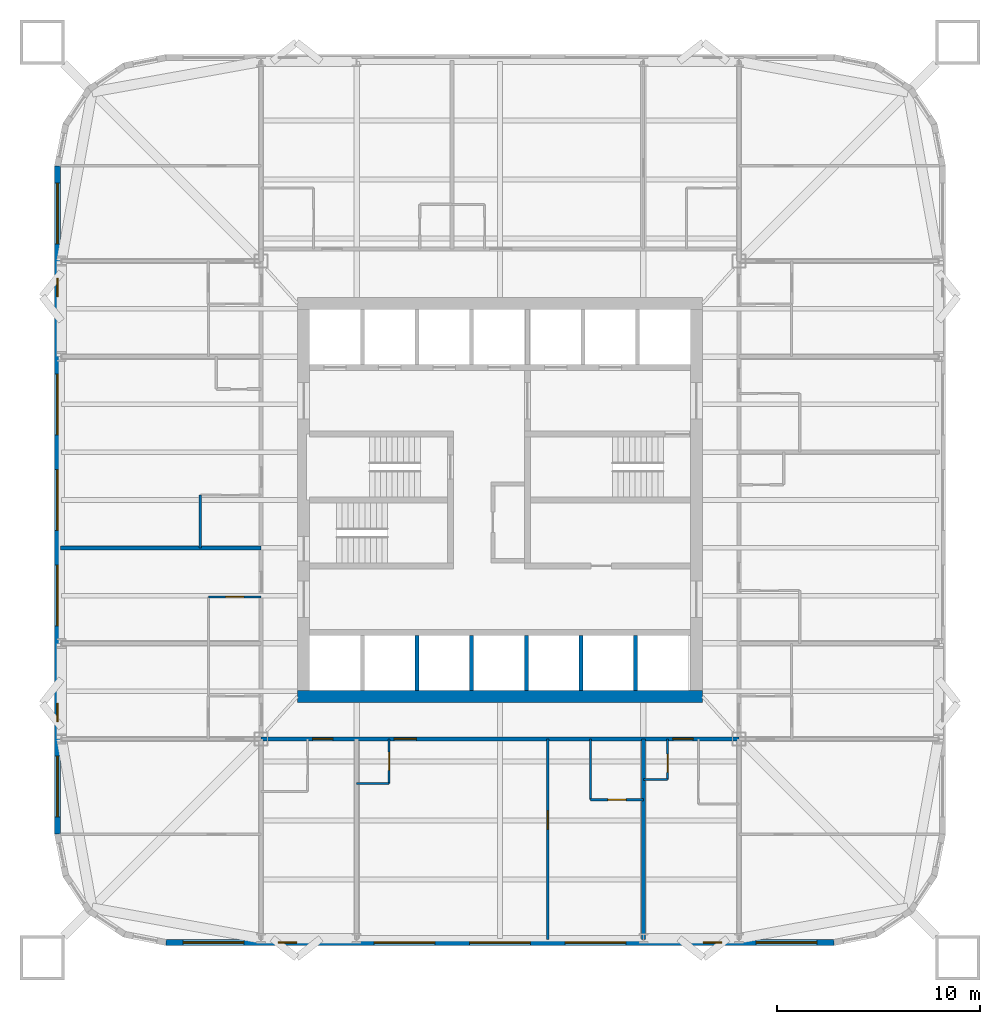
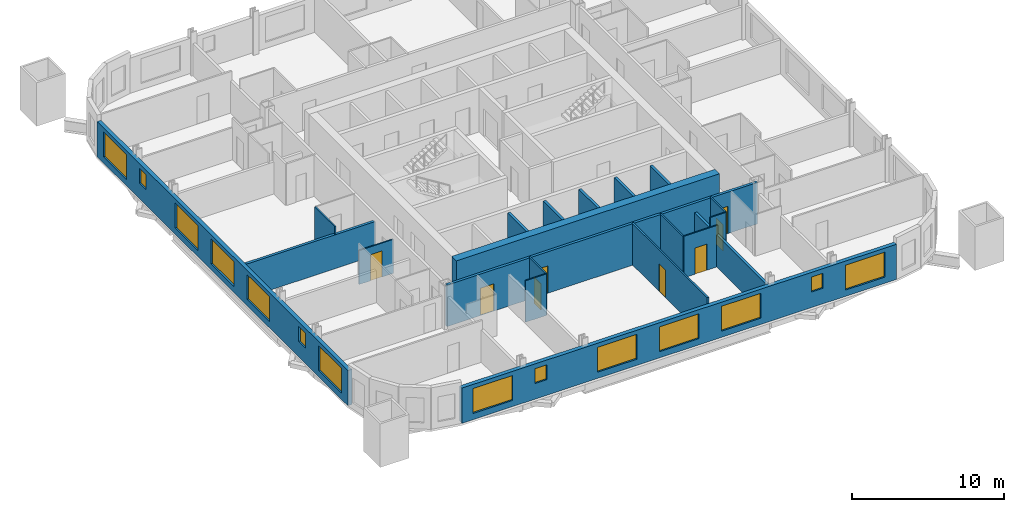
# One storey, part 3 of 9: 20 walls, 14 windows, 8 doors, 22 openings.
"""IFC4 building model written with IfcOpenShell, lengths in metres."""

from ifc_helpers import new_model, si_unit, direction, frame, frame_2d, origin, place, context, subcontext, project, spatial, rectangle, extrude, material, layer, layer_set, type_object, element, fill, save


model = new_model("IFC4")

# Units and contexts
model_context = context("Model", 3, precision=1e-05, world=origin(), true_north=direction((0.0, 1.0)))
body_context = subcontext(model_context, "Body", "Model", "MODEL_VIEW")
ifc_project = project(units=[si_unit("LENGTHUNIT", "METRE"), si_unit("AREAUNIT", "SQUARE_METRE"), si_unit("VOLUMEUNIT", "CUBIC_METRE"), si_unit("PLANEANGLEUNIT", "RADIAN"), si_unit("MASSUNIT", "GRAM", prefix="KILO")], contexts=[model_context])

# Site, building, storey
site_placement = place(None, origin())
site = spatial("IfcSite", under=ifc_project, at=site_placement, CompositionType="ELEMENT")
building_placement = place(site_placement, origin())
building = spatial("IfcBuilding", under=site, at=building_placement, Name="Turquesa Mirador Hotel Tower", CompositionType="ELEMENT")
storey_placement = place(building_placement, frame((0.0, 0.0, 42.5)))
storey = spatial("IfcBuildingStorey", under=building, at=storey_placement, Name="L10", CompositionType="ELEMENT", Elevation=42.5)

# Walls
ifc_material_1 = material(Name="Gypsum board on steel studs", Category="steel")
ifc_layer_1 = layer(ifc_material_1, 0.10009765625)
ifc_layer_set_1 = layer_set([ifc_layer_1], Name="BATHROOM WALL 100")
wall_type_1 = type_object("IfcWallType", Name="BATHROOM WALL 100", PredefinedType="PARTITIONING", material=ifc_layer_set_1)
wall_1_placement = place(storey_placement, frame((62.080078125, 31.199951171875, 0.0), z_axis=(0.0, 0.0, 1.0), x_axis=(1.0, 0.0, 0.0)))
element("IfcWall", 1, at=wall_1_placement, inside=storey, type_object=wall_type_1, Name="Partition L10 004", PredefinedType="PARTITIONING", context=body_context, shape_type="SweptSolid", body=[
    extrude(rectangle(XDim=1.199951171875, YDim=0.10009765625, at=frame_2d((0.60009765625, 0.0))), origin(), (0.0, 0.0, 1.0), 3.330078125),
])
wall_2_placement = place(storey_placement, frame((47.919921875, 31.0, 0.0), z_axis=(0.0, 0.0, 1.0), x_axis=(1.0, 0.0, 0.0)))
element("IfcWall", 2, at=wall_2_placement, inside=storey, type_object=wall_type_1, Name="Partition L10 005", PredefinedType="PARTITIONING", context=body_context, shape_type="SweptSolid", body=[
    extrude(rectangle(XDim=1.60009765625, YDim=0.10009765625, at=frame_2d((0.800048828125, 0.0))), origin(), (0.0, 0.0, 1.0), 3.330078125),
])

# Wall, opening, door
wall_3_placement = place(storey_placement, frame((59.47998046875, 30.199951171875, 0.0), z_axis=(0.0, 0.0, 1.0), x_axis=(1.0, 0.0, 0.0)))
wall_3 = element("IfcWall", 3, at=wall_3_placement, inside=storey, type_object=wall_type_1, Name="Partition L10 007", PredefinedType="PARTITIONING", context=body_context, shape_type="SweptSolid", body=[
    extrude(rectangle(XDim=2.60009765625, YDim=0.10009765625, at=frame_2d((1.300048828125, 0.0))), origin(), (0.0, 0.0, 1.0), 3.330078125),
])
opening_1_placement = place(wall_3_placement, frame((0.85009765625, 0.0, 0.0)))
opening_1 = element("IfcOpeningElement", 4, at=opening_1_placement, cuts=wall_3, Name="Opening D02", PredefinedType="OPENING", context=body_context, shape_type="SweptSolid", body=[
    extrude(rectangle(XDim=0.89990234375, YDim=2.10009765625, at=frame_2d((0.449951171875, 1.050048828125))), frame((0.0, 0.06005859375, 0.0), z_axis=(0.0, -1.0, 0.0), x_axis=(1.0, 0.0, 0.0)), (0.0, 0.0, 1.0), 0.1201171875),
])
ifc_material_2 = material(Name="Timber veneered door", Category="wood")
door_type_1 = type_object("IfcDoorType", Name="DOOR 900X2100 EN-SUITE", OperationType="SINGLE_SWING_RIGHT", PredefinedType="DOOR", material=ifc_material_2)
door_1_placement = place(opening_1_placement, origin())
door_1 = element("IfcDoor", 5, at=door_1_placement, inside=storey, type_object=door_type_1, Name="Door 1004B", OperationType="SINGLE_SWING_RIGHT", OverallHeight=2.10009765625, OverallWidth=0.89990234375, PredefinedType="DOOR", context=body_context, shape_type="SweptSolid", body=[
    extrude(rectangle(XDim=0.89990234375, YDim=2.10009765625, at=frame_2d((0.449951171875, 1.050048828125))), frame((0.0, 0.02490234375, 0.0), z_axis=(0.0, -1.0, 0.0), x_axis=(1.0, 0.0, 0.0)), (0.0, 0.0, 1.0), 0.050048828125),
])
fill(opening_1, door_1)

wall_4_placement = place(storey_placement, frame((40.60009765625, 40.219970703125, 0.0), z_axis=(0.0, 0.0, 1.0), x_axis=(1.0, 0.0, 0.0)))
wall_4 = element("IfcWall", 6, at=wall_4_placement, inside=storey, type_object=wall_type_1, Name="Partition L10 013", PredefinedType="PARTITIONING", context=body_context, shape_type="SweptSolid", body=[
    extrude(rectangle(XDim=2.599853515625, YDim=0.10009765625, at=frame_2d((1.2998046875, 0.0))), origin(), (0.0, 0.0, 1.0), 2.722900390625),
])
opening_2_placement = place(wall_4_placement, frame((0.85009765625, 0.0, 0.0)))
opening_2 = element("IfcOpeningElement", 7, at=opening_2_placement, cuts=wall_4, Name="Opening D02", PredefinedType="OPENING", context=body_context, shape_type="SweptSolid", body=[
    extrude(rectangle(XDim=0.89990234375, YDim=2.10009765625, at=frame_2d((0.449951171875, 1.050048828125))), frame((0.0, 0.06005859375, 0.0), z_axis=(0.0, -1.0, 0.0), x_axis=(1.0, 0.0, 0.0)), (0.0, 0.0, 1.0), 0.1201171875),
])
door_2_placement = place(opening_2_placement, origin())
door_2 = element("IfcDoor", 8, at=door_2_placement, inside=storey, type_object=door_type_1, Name="Door 1008B", OperationType="SINGLE_SWING_RIGHT", OverallHeight=2.10009765625, OverallWidth=0.89990234375, PredefinedType="DOOR", context=body_context, shape_type="SweptSolid", body=[
    extrude(rectangle(XDim=0.89990234375, YDim=2.10009765625, at=frame_2d((0.449951171875, 1.050048828125))), frame((0.0, 0.02490234375, 0.0), z_axis=(0.0, -1.0, 0.0), x_axis=(1.0, 0.0, 0.0)), (0.0, 0.0, 1.0), 0.050048828125),
])
fill(opening_2, door_2)

# Wall
wall_5_placement = place(storey_placement, frame((40.199951171875, 42.639892578125, 0.0), z_axis=(0.0, 0.0, 1.0), x_axis=(0.0, 1.0, 0.0)))
element("IfcWall", 9, at=wall_5_placement, inside=storey, type_object=wall_type_1, Name="Partition L10 045", PredefinedType="PARTITIONING", context=body_context, shape_type="SweptSolid", body=[
    extrude(rectangle(XDim=2.60009765625, YDim=0.10009765625, at=frame_2d((1.300048828125, 0.0))), origin(), (0.0, 0.0, 1.0), 3.330078125),
])

# Wall, opening, door
wall_6_placement = place(storey_placement, frame((49.52001953125, 31.0, 0.0), z_axis=(0.0, 0.0, 1.0), x_axis=(0.0, 1.0, 0.0)))
wall_6 = element("IfcWall", 10, at=wall_6_placement, inside=storey, type_object=wall_type_1, Name="Partition L10 048", PredefinedType="PARTITIONING", context=body_context, shape_type="SweptSolid", body=[
    extrude(rectangle(XDim=2.199951171875, YDim=0.10009765625, at=frame_2d((1.10009765625, 0.0))), origin(), (0.0, 0.0, 1.0), 3.330078125),
])
opening_3_placement = place(wall_6_placement, frame((0.64990234375, 0.0, 0.0)))
opening_3 = element("IfcOpeningElement", 11, at=opening_3_placement, cuts=wall_6, Name="Opening D06", PredefinedType="OPENING", context=body_context, shape_type="SweptSolid", body=[
    extrude(rectangle(XDim=0.89990234375, YDim=2.10009765625, at=frame_2d((0.449951171875, 1.050048828125))), frame((0.0, 0.06005859375, 0.0), z_axis=(0.0, -1.0, 0.0), x_axis=(1.0, 0.0, 0.0)), (0.0, 0.0, 1.0), 0.1201171875),
])
ifc_material_3 = material(Name="Laminate door", Category="wood")
door_type_2 = type_object("IfcDoorType", Name="DOOR 900X2100 WC", OperationType="SINGLE_SWING_LEFT", PredefinedType="DOOR", material=ifc_material_3)
door_3_placement = place(opening_3_placement, origin())
door_3 = element("IfcDoor", 12, at=door_3_placement, inside=storey, type_object=door_type_2, Name="Door 1004W", OperationType="SINGLE_SWING_LEFT", OverallHeight=2.10009765625, OverallWidth=0.89990234375, PredefinedType="DOOR", context=body_context, shape_type="SweptSolid", body=[
    extrude(rectangle(XDim=0.89990234375, YDim=2.10009765625, at=frame_2d((0.449951171875, 1.050048828125))), frame((0.0, 0.02490234375, 0.0), z_axis=(0.0, -1.0, 0.0), x_axis=(1.0, 0.0, 0.0)), (0.0, 0.0, 1.0), 0.050048828125),
])
fill(opening_3, door_3)

# Wall
wall_7_placement = place(storey_placement, frame((59.47998046875, 30.199951171875, 0.0), z_axis=(0.0, 0.0, 1.0), x_axis=(0.0, 1.0, 0.0)))
element("IfcWall", 13, at=wall_7_placement, inside=storey, type_object=wall_type_1, Name="Partition L10 063", PredefinedType="PARTITIONING", context=body_context, shape_type="SweptSolid", body=[
    extrude(rectangle(XDim=3.0, YDim=0.10009765625, at=frame_2d((1.5, 0.0))), origin(), (0.0, 0.0, 1.0), 3.330078125),
])

# Wall, opening, door
wall_8_placement = place(storey_placement, frame((63.280029296875, 31.199951171875, 0.0), z_axis=(0.0, 0.0, 1.0), x_axis=(0.0, 1.0, 0.0)))
wall_8 = element("IfcWall", 14, at=wall_8_placement, inside=storey, type_object=wall_type_1, Name="Partition L10 066", PredefinedType="PARTITIONING", context=body_context, shape_type="SweptSolid", body=[
    extrude(rectangle(XDim=2.0, YDim=0.10009765625, at=frame_2d((1.0, 0.0))), origin(), (0.0, 0.0, 1.0), 3.330078125),
])
opening_4_placement = place(wall_8_placement, frame((0.35009765625, 0.0, 0.0)))
opening_4 = element("IfcOpeningElement", 15, at=opening_4_placement, cuts=wall_8, Name="Opening D06", PredefinedType="OPENING", context=body_context, shape_type="SweptSolid", body=[
    extrude(rectangle(XDim=0.89990234375, YDim=2.10009765625, at=frame_2d((0.449951171875, 1.050048828125))), frame((0.0, 0.06005859375, 0.0), z_axis=(0.0, -1.0, 0.0), x_axis=(1.0, 0.0, 0.0)), (0.0, 0.0, 1.0), 0.1201171875),
])
door_4_placement = place(opening_4_placement, origin())
door_4 = element("IfcDoor", 16, at=door_4_placement, inside=storey, type_object=door_type_2, Name="Door 1005W", OperationType="SINGLE_SWING_LEFT", OverallHeight=2.10009765625, OverallWidth=0.89990234375, PredefinedType="DOOR", context=body_context, shape_type="SweptSolid", body=[
    extrude(rectangle(XDim=0.89990234375, YDim=2.10009765625, at=frame_2d((0.449951171875, 1.050048828125))), frame((0.0, 0.02490234375, 0.0), z_axis=(0.0, -1.0, 0.0), x_axis=(1.0, 0.0, 0.0)), (0.0, 0.0, 1.0), 0.050048828125),
])
fill(opening_4, door_4)

# Wall
ifc_material_4 = material(Name="Concrete C50/60", Category="concrete")
ifc_layer_2 = layer(ifc_material_4, 0.60009765625)
ifc_layer_set_2 = layer_set([ifc_layer_2], Name="CORE WALL 600")
wall_type_2 = type_object("IfcWallType", Name="CORE WALL 600", PredefinedType="SHEAR", material=ifc_layer_set_2)
wall_9_placement = place(storey_placement, frame((45.0, 35.300048828125, 0.0), z_axis=(0.0, 0.0, 1.0), x_axis=(1.0, 0.0, 0.0)))
element("IfcWall", 17, at=wall_9_placement, inside=storey, type_object=wall_type_2, Name="Core wall S", PredefinedType="SHEAR", context=body_context, shape_type="SweptSolid", body=[
    extrude(rectangle(XDim=20.0, YDim=0.60009765625, at=frame_2d((10.0, 0.0))), origin(), (0.0, 0.0, 1.0), 3.5),
])

# Wall, openings, doors
ifc_material_5 = material(Name="Fire-rated gypsum board on steel studs", Category="steel")
ifc_layer_3 = layer(ifc_material_5, 0.199951171875)
ifc_layer_set_3 = layer_set([ifc_layer_3], Name="CORRIDOR WALL 200")
wall_type_3 = type_object("IfcWallType", Name="CORRIDOR WALL 200", PredefinedType="PARTITIONING", material=ifc_layer_set_3)
wall_10_placement = place(storey_placement, frame((43.199951171875, 33.199951171875, 0.0), z_axis=(0.0, 0.0, 1.0), x_axis=(1.0, 0.0, 0.0)))
wall_10 = element("IfcWall", 18, at=wall_10_placement, inside=storey, type_object=wall_type_3, Name="Partition L10 001", PredefinedType="PARTITIONING", context=body_context, shape_type="SweptSolid", body=[
    extrude(rectangle(XDim=23.60009765625, YDim=0.199951171875, at=frame_2d((11.800048828125, 0.0))), origin(), (0.0, 0.0, 1.0), 3.330078125),
])
opening_5_placement = place(wall_10_placement, frame((2.550048828125, 0.0, 0.0)))
opening_5 = element("IfcOpeningElement", 19, at=opening_5_placement, cuts=wall_10, Name="Opening D01", PredefinedType="OPENING", context=body_context, shape_type="SweptSolid", body=[
    extrude(rectangle(XDim=1.0, YDim=2.199951171875, at=frame_2d((0.5, 1.10009765625))), frame((0.0, 0.10986328125, 0.0), z_axis=(0.0, -1.0, 0.0), x_axis=(1.0, 0.0, 0.0)), (0.0, 0.0, 1.0), 0.219970703125),
])
opening_6_placement = place(wall_10_placement, frame((6.570068359375, 0.0, 0.0)))
opening_6 = element("IfcOpeningElement", 20, at=opening_6_placement, cuts=wall_10, Name="Opening D15", PredefinedType="OPENING", context=body_context, shape_type="SweptSolid", body=[
    extrude(rectangle(XDim=1.10009765625, YDim=2.199951171875, at=frame_2d((0.550048828125, 1.10009765625))), frame((0.0, 0.10986328125, 0.0), z_axis=(0.0, -1.0, 0.0), x_axis=(1.0, 0.0, 0.0)), (0.0, 0.0, 1.0), 0.219970703125),
])
opening_7_placement = place(wall_10_placement, frame((20.340087890625, 0.0, 0.0)))
opening_7 = element("IfcOpeningElement", 21, at=opening_7_placement, cuts=wall_10, Name="Opening D01", PredefinedType="OPENING", context=body_context, shape_type="SweptSolid", body=[
    extrude(rectangle(XDim=1.0, YDim=2.199951171875, at=frame_2d((0.5, 1.10009765625))), frame((0.0, 0.10986328125, 0.0), z_axis=(0.0, -1.0, 0.0), x_axis=(1.0, 0.0, 0.0)), (0.0, 0.0, 1.0), 0.219970703125),
])
ifc_material_6 = material(Name="Timber veneered fire door", Category="wood")
door_type_3 = type_object("IfcDoorType", Name="DOOR 1000X2200 GUEST ENTRY", OperationType="SINGLE_SWING_LEFT", PredefinedType="DOOR", material=ifc_material_6)
door_5_placement = place(opening_5_placement, origin())
door_5 = element("IfcDoor", 22, at=door_5_placement, inside=storey, type_object=door_type_3, Name="Door 1003", OperationType="SINGLE_SWING_LEFT", OverallHeight=2.199951171875, OverallWidth=1.0, PredefinedType="DOOR", context=body_context, shape_type="SweptSolid", body=[
    extrude(rectangle(XDim=1.0, YDim=2.199951171875, at=frame_2d((0.5, 1.10009765625))), frame((0.0, 0.02490234375, 0.0), z_axis=(0.0, -1.0, 0.0), x_axis=(1.0, 0.0, 0.0)), (0.0, 0.0, 1.0), 0.050048828125),
])
fill(opening_5, door_5)
door_6_placement = place(opening_7_placement, origin())
door_6 = element("IfcDoor", 23, at=door_6_placement, inside=storey, type_object=door_type_3, Name="Door 1005", OperationType="SINGLE_SWING_LEFT", OverallHeight=2.199951171875, OverallWidth=1.0, PredefinedType="DOOR", context=body_context, shape_type="SweptSolid", body=[
    extrude(rectangle(XDim=1.0, YDim=2.199951171875, at=frame_2d((0.5, 1.10009765625))), frame((0.0, 0.02490234375, 0.0), z_axis=(0.0, -1.0, 0.0), x_axis=(1.0, 0.0, 0.0)), (0.0, 0.0, 1.0), 0.050048828125),
])
fill(opening_7, door_6)
ifc_material_7 = material(Name="Timber veneered fire door", Category="wood")
door_type_4 = type_object("IfcDoorType", Name="DOOR 1100X2200 SUITE ENTRY", OperationType="SINGLE_SWING_LEFT", PredefinedType="DOOR", material=ifc_material_7)
door_7_placement = place(opening_6_placement, origin())
door_7 = element("IfcDoor", 24, at=door_7_placement, inside=storey, type_object=door_type_4, Name="Door 1004", OperationType="SINGLE_SWING_LEFT", OverallHeight=2.199951171875, OverallWidth=1.10009765625, PredefinedType="DOOR", context=body_context, shape_type="SweptSolid", body=[
    extrude(rectangle(XDim=1.10009765625, YDim=2.199951171875, at=frame_2d((0.550048828125, 1.10009765625))), frame((0.0, 0.02490234375, 0.0), z_axis=(0.0, -1.0, 0.0), x_axis=(1.0, 0.0, 0.0)), (0.0, 0.0, 1.0), 0.050048828125),
])
fill(opening_6, door_7)

# Wall, openings, windows
ifc_material_8 = material(Name="Limestone cladding on concrete block", Category="masonry")
ifc_layer_4 = layer(ifc_material_8, 0.300048828125)
ifc_layer_set_4 = layer_set([ifc_layer_4], Name="FACADE WALL 300 STONE SCREEN")
wall_type_4 = type_object("IfcWallType", Name="FACADE WALL 300 STONE SCREEN", PredefinedType="SOLIDWALL", material=ifc_layer_set_4)
wall_11_placement = place(storey_placement, frame((33.14990234375, 61.5, 0.0), z_axis=(0.0, 0.0, 1.0), x_axis=(0.0, -1.0, 0.0)))
wall_11 = element("IfcWall", 25, at=wall_11_placement, inside=storey, type_object=wall_type_4, Name="Facade wall L10 14", PredefinedType="SOLIDWALL", context=body_context, shape_type="SweptSolid", body=[
    extrude(rectangle(XDim=33.0, YDim=0.300048828125, at=frame_2d((16.5, 0.0))), origin(), (0.0, 0.0, 1.0), 2.830078125),
])
opening_8_placement = place(wall_11_placement, frame((0.85009765625, 0.0, 0.5)))
opening_8 = element("IfcOpeningElement", 26, at=opening_8_placement, cuts=wall_11, Name="Opening WN1", PredefinedType="OPENING", context=body_context, shape_type="SweptSolid", body=[
    extrude(rectangle(XDim=3.0, YDim=2.0, at=frame_2d((1.5, 1.0))), frame((0.0, 0.159912109375, 0.0), z_axis=(0.0, -1.0, 0.0), x_axis=(1.0, 0.0, 0.0)), (0.0, 0.0, 1.0), 0.320068359375),
])
opening_9_placement = place(wall_11_placement, frame((5.56005859375, 0.0, 1.25)))
opening_9 = element("IfcOpeningElement", 27, at=opening_9_placement, cuts=wall_11, Name="Opening WN36", PredefinedType="OPENING", context=body_context, shape_type="SweptSolid", body=[
    extrude(rectangle(XDim=0.89990234375, YDim=1.199951171875, at=frame_2d((0.449951171875, 0.60009765625))), frame((0.0, 0.159912109375, 0.0), z_axis=(0.0, -1.0, 0.0), x_axis=(1.0, 0.0, 0.0)), (0.0, 0.0, 1.0), 0.320068359375),
])
opening_10_placement = place(wall_11_placement, frame((10.280029296875, 0.0, 0.5)))
opening_10 = element("IfcOpeningElement", 28, at=opening_10_placement, cuts=wall_11, Name="Opening WN1", PredefinedType="OPENING", context=body_context, shape_type="SweptSolid", body=[
    extrude(rectangle(XDim=3.0, YDim=2.0, at=frame_2d((1.5, 1.0))), frame((0.0, 0.159912109375, 0.0), z_axis=(0.0, -1.0, 0.0), x_axis=(1.0, 0.0, 0.0)), (0.0, 0.0, 1.0), 0.320068359375),
])
opening_11_placement = place(wall_11_placement, frame((15.0, 0.0, 0.5)))
opening_11 = element("IfcOpeningElement", 29, at=opening_11_placement, cuts=wall_11, Name="Opening WN1", PredefinedType="OPENING", context=body_context, shape_type="SweptSolid", body=[
    extrude(rectangle(XDim=3.0, YDim=2.0, at=frame_2d((1.5, 1.0))), frame((0.0, 0.159912109375, 0.0), z_axis=(0.0, -1.0, 0.0), x_axis=(1.0, 0.0, 0.0)), (0.0, 0.0, 1.0), 0.320068359375),
])
opening_12_placement = place(wall_11_placement, frame((19.719970703125, 0.0, 0.5)))
opening_12 = element("IfcOpeningElement", 30, at=opening_12_placement, cuts=wall_11, Name="Opening WN1", PredefinedType="OPENING", context=body_context, shape_type="SweptSolid", body=[
    extrude(rectangle(XDim=3.0, YDim=2.0, at=frame_2d((1.5, 1.0))), frame((0.0, 0.159912109375, 0.0), z_axis=(0.0, -1.0, 0.0), x_axis=(1.0, 0.0, 0.0)), (0.0, 0.0, 1.0), 0.320068359375),
])
opening_13_placement = place(wall_11_placement, frame((26.5400390625, 0.0, 1.25)))
opening_13 = element("IfcOpeningElement", 31, at=opening_13_placement, cuts=wall_11, Name="Opening WN36", PredefinedType="OPENING", context=body_context, shape_type="SweptSolid", body=[
    extrude(rectangle(XDim=0.89990234375, YDim=1.199951171875, at=frame_2d((0.449951171875, 0.60009765625))), frame((0.0, 0.159912109375, 0.0), z_axis=(0.0, -1.0, 0.0), x_axis=(1.0, 0.0, 0.0)), (0.0, 0.0, 1.0), 0.320068359375),
])
opening_14_placement = place(wall_11_placement, frame((29.14990234375, 0.0, 0.5)))
opening_14 = element("IfcOpeningElement", 32, at=opening_14_placement, cuts=wall_11, Name="Opening WN1", PredefinedType="OPENING", context=body_context, shape_type="SweptSolid", body=[
    extrude(rectangle(XDim=3.0, YDim=2.0, at=frame_2d((1.5, 1.0))), frame((0.0, 0.159912109375, 0.0), z_axis=(0.0, -1.0, 0.0), x_axis=(1.0, 0.0, 0.0)), (0.0, 0.0, 1.0), 0.320068359375),
])
ifc_material_9 = material(Name="Ceramic-fritted laminated glass", Category="glass")
window_type_1 = type_object("IfcWindowType", Name="FRITTED WINDOW 3000X2000", PartitioningType="DOUBLE_PANEL_HORIZONTAL", PredefinedType="WINDOW", material=ifc_material_9)
window_1_placement = place(opening_8_placement, origin())
window_1 = element("IfcWindow", 33, at=window_1_placement, inside=storey, type_object=window_type_1, Name="Window L10", OverallHeight=2.0, OverallWidth=3.0, PartitioningType="SINGLE_PANEL", PredefinedType="WINDOW", context=body_context, shape_type="SweptSolid", body=[
    extrude(rectangle(XDim=3.0, YDim=2.0, at=frame_2d((1.5, 1.0))), frame((0.0, 0.030029296875, 0.0), z_axis=(0.0, -1.0, 0.0), x_axis=(1.0, 0.0, 0.0)), (0.0, 0.0, 1.0), 0.06005859375),
])
fill(opening_8, window_1)
window_2_placement = place(opening_10_placement, origin())
window_2 = element("IfcWindow", 34, at=window_2_placement, inside=storey, type_object=window_type_1, Name="Window L10", OverallHeight=2.0, OverallWidth=3.0, PartitioningType="SINGLE_PANEL", PredefinedType="WINDOW", context=body_context, shape_type="SweptSolid", body=[
    extrude(rectangle(XDim=3.0, YDim=2.0, at=frame_2d((1.5, 1.0))), frame((0.0, 0.030029296875, 0.0), z_axis=(0.0, -1.0, 0.0), x_axis=(1.0, 0.0, 0.0)), (0.0, 0.0, 1.0), 0.06005859375),
])
fill(opening_10, window_2)
window_3_placement = place(opening_11_placement, origin())
window_3 = element("IfcWindow", 35, at=window_3_placement, inside=storey, type_object=window_type_1, Name="Window L10", OverallHeight=2.0, OverallWidth=3.0, PartitioningType="SINGLE_PANEL", PredefinedType="WINDOW", context=body_context, shape_type="SweptSolid", body=[
    extrude(rectangle(XDim=3.0, YDim=2.0, at=frame_2d((1.5, 1.0))), frame((0.0, 0.030029296875, 0.0), z_axis=(0.0, -1.0, 0.0), x_axis=(1.0, 0.0, 0.0)), (0.0, 0.0, 1.0), 0.06005859375),
])
fill(opening_11, window_3)
window_4_placement = place(opening_12_placement, origin())
window_4 = element("IfcWindow", 36, at=window_4_placement, inside=storey, type_object=window_type_1, Name="Window L10", OverallHeight=2.0, OverallWidth=3.0, PartitioningType="SINGLE_PANEL", PredefinedType="WINDOW", context=body_context, shape_type="SweptSolid", body=[
    extrude(rectangle(XDim=3.0, YDim=2.0, at=frame_2d((1.5, 1.0))), frame((0.0, 0.030029296875, 0.0), z_axis=(0.0, -1.0, 0.0), x_axis=(1.0, 0.0, 0.0)), (0.0, 0.0, 1.0), 0.06005859375),
])
fill(opening_12, window_4)
window_5_placement = place(opening_14_placement, origin())
window_5 = element("IfcWindow", 37, at=window_5_placement, inside=storey, type_object=window_type_1, Name="Window L10", OverallHeight=2.0, OverallWidth=3.0, PartitioningType="SINGLE_PANEL", PredefinedType="WINDOW", context=body_context, shape_type="SweptSolid", body=[
    extrude(rectangle(XDim=3.0, YDim=2.0, at=frame_2d((1.5, 1.0))), frame((0.0, 0.030029296875, 0.0), z_axis=(0.0, -1.0, 0.0), x_axis=(1.0, 0.0, 0.0)), (0.0, 0.0, 1.0), 0.06005859375),
])
fill(opening_14, window_5)
ifc_material_10 = material(Name="Ceramic-fritted laminated glass", Category="glass")
window_type_2 = type_object("IfcWindowType", Name="FRITTED WINDOW 900X1200", PartitioningType="DOUBLE_PANEL_HORIZONTAL", PredefinedType="WINDOW", material=ifc_material_10)
window_6_placement = place(opening_9_placement, origin())
window_6 = element("IfcWindow", 38, at=window_6_placement, inside=storey, type_object=window_type_2, Name="Window L10", OverallHeight=1.199951171875, OverallWidth=0.89990234375, PartitioningType="SINGLE_PANEL", PredefinedType="WINDOW", context=body_context, shape_type="SweptSolid", body=[
    extrude(rectangle(XDim=0.89990234375, YDim=1.199951171875, at=frame_2d((0.449951171875, 0.60009765625))), frame((0.0, 0.030029296875, 0.0), z_axis=(0.0, -1.0, 0.0), x_axis=(1.0, 0.0, 0.0)), (0.0, 0.0, 1.0), 0.06005859375),
])
fill(opening_9, window_6)
window_7_placement = place(opening_13_placement, origin())
window_7 = element("IfcWindow", 39, at=window_7_placement, inside=storey, type_object=window_type_2, Name="Window L10", OverallHeight=1.199951171875, OverallWidth=0.89990234375, PartitioningType="SINGLE_PANEL", PredefinedType="WINDOW", context=body_context, shape_type="SweptSolid", body=[
    extrude(rectangle(XDim=0.89990234375, YDim=1.199951171875, at=frame_2d((0.449951171875, 0.60009765625))), frame((0.0, 0.030029296875, 0.0), z_axis=(0.0, -1.0, 0.0), x_axis=(1.0, 0.0, 0.0)), (0.0, 0.0, 1.0), 0.06005859375),
])
fill(opening_13, window_7)

wall_12_placement = place(storey_placement, frame((38.5, 23.14990234375, 0.0), z_axis=(0.0, 0.0, 1.0), x_axis=(1.0, 0.0, 0.0)))
wall_12 = element("IfcWall", 40, at=wall_12_placement, inside=storey, type_object=wall_type_4, Name="Facade wall L10 19", PredefinedType="SOLIDWALL", context=body_context, shape_type="SweptSolid", body=[
    extrude(rectangle(XDim=33.0, YDim=0.300048828125, at=frame_2d((16.5, 0.0))), origin(), (0.0, 0.0, 1.0), 2.830078125),
])
opening_15_placement = place(wall_12_placement, frame((0.85009765625, 0.0, 0.5)))
opening_15 = element("IfcOpeningElement", 41, at=opening_15_placement, cuts=wall_12, Name="Opening WN1", PredefinedType="OPENING", context=body_context, shape_type="SweptSolid", body=[
    extrude(rectangle(XDim=3.0, YDim=2.0, at=frame_2d((1.5, 1.0))), frame((0.0, 0.159912109375, 0.0), z_axis=(0.0, -1.0, 0.0), x_axis=(1.0, 0.0, 0.0)), (0.0, 0.0, 1.0), 0.320068359375),
])
opening_16_placement = place(wall_12_placement, frame((5.56005859375, 0.0, 1.25)))
opening_16 = element("IfcOpeningElement", 42, at=opening_16_placement, cuts=wall_12, Name="Opening WN36", PredefinedType="OPENING", context=body_context, shape_type="SweptSolid", body=[
    extrude(rectangle(XDim=0.89990234375, YDim=1.199951171875, at=frame_2d((0.449951171875, 0.60009765625))), frame((0.0, 0.159912109375, 0.0), z_axis=(0.0, -1.0, 0.0), x_axis=(1.0, 0.0, 0.0)), (0.0, 0.0, 1.0), 0.320068359375),
])
opening_17_placement = place(wall_12_placement, frame((10.280029296875, 0.0, 0.5)))
opening_17 = element("IfcOpeningElement", 43, at=opening_17_placement, cuts=wall_12, Name="Opening WN1", PredefinedType="OPENING", context=body_context, shape_type="SweptSolid", body=[
    extrude(rectangle(XDim=3.0, YDim=2.0, at=frame_2d((1.5, 1.0))), frame((0.0, 0.159912109375, 0.0), z_axis=(0.0, -1.0, 0.0), x_axis=(1.0, 0.0, 0.0)), (0.0, 0.0, 1.0), 0.320068359375),
])
opening_18_placement = place(wall_12_placement, frame((15.0, 0.0, 0.5)))
opening_18 = element("IfcOpeningElement", 44, at=opening_18_placement, cuts=wall_12, Name="Opening WN1", PredefinedType="OPENING", context=body_context, shape_type="SweptSolid", body=[
    extrude(rectangle(XDim=3.0, YDim=2.0, at=frame_2d((1.5, 1.0))), frame((0.0, 0.159912109375, 0.0), z_axis=(0.0, -1.0, 0.0), x_axis=(1.0, 0.0, 0.0)), (0.0, 0.0, 1.0), 0.320068359375),
])
opening_19_placement = place(wall_12_placement, frame((19.719970703125, 0.0, 0.5)))
opening_19 = element("IfcOpeningElement", 45, at=opening_19_placement, cuts=wall_12, Name="Opening WN1", PredefinedType="OPENING", context=body_context, shape_type="SweptSolid", body=[
    extrude(rectangle(XDim=3.0, YDim=2.0, at=frame_2d((1.5, 1.0))), frame((0.0, 0.159912109375, 0.0), z_axis=(0.0, -1.0, 0.0), x_axis=(1.0, 0.0, 0.0)), (0.0, 0.0, 1.0), 0.320068359375),
])
opening_20_placement = place(wall_12_placement, frame((26.5400390625, 0.0, 1.25)))
opening_20 = element("IfcOpeningElement", 46, at=opening_20_placement, cuts=wall_12, Name="Opening WN36", PredefinedType="OPENING", context=body_context, shape_type="SweptSolid", body=[
    extrude(rectangle(XDim=0.89990234375, YDim=1.199951171875, at=frame_2d((0.449951171875, 0.60009765625))), frame((0.0, 0.159912109375, 0.0), z_axis=(0.0, -1.0, 0.0), x_axis=(1.0, 0.0, 0.0)), (0.0, 0.0, 1.0), 0.320068359375),
])
opening_21_placement = place(wall_12_placement, frame((29.14990234375, 0.0, 0.5)))
opening_21 = element("IfcOpeningElement", 47, at=opening_21_placement, cuts=wall_12, Name="Opening WN1", PredefinedType="OPENING", context=body_context, shape_type="SweptSolid", body=[
    extrude(rectangle(XDim=3.0, YDim=2.0, at=frame_2d((1.5, 1.0))), frame((0.0, 0.159912109375, 0.0), z_axis=(0.0, -1.0, 0.0), x_axis=(1.0, 0.0, 0.0)), (0.0, 0.0, 1.0), 0.320068359375),
])
window_8_placement = place(opening_15_placement, origin())
window_8 = element("IfcWindow", 48, at=window_8_placement, inside=storey, type_object=window_type_1, Name="Window L10", OverallHeight=2.0, OverallWidth=3.0, PartitioningType="SINGLE_PANEL", PredefinedType="WINDOW", context=body_context, shape_type="SweptSolid", body=[
    extrude(rectangle(XDim=3.0, YDim=2.0, at=frame_2d((1.5, 1.0))), frame((0.0, 0.030029296875, 0.0), z_axis=(0.0, -1.0, 0.0), x_axis=(1.0, 0.0, 0.0)), (0.0, 0.0, 1.0), 0.06005859375),
])
fill(opening_15, window_8)
window_9_placement = place(opening_17_placement, origin())
window_9 = element("IfcWindow", 49, at=window_9_placement, inside=storey, type_object=window_type_1, Name="Window L10", OverallHeight=2.0, OverallWidth=3.0, PartitioningType="SINGLE_PANEL", PredefinedType="WINDOW", context=body_context, shape_type="SweptSolid", body=[
    extrude(rectangle(XDim=3.0, YDim=2.0, at=frame_2d((1.5, 1.0))), frame((0.0, 0.030029296875, 0.0), z_axis=(0.0, -1.0, 0.0), x_axis=(1.0, 0.0, 0.0)), (0.0, 0.0, 1.0), 0.06005859375),
])
fill(opening_17, window_9)
window_10_placement = place(opening_18_placement, origin())
window_10 = element("IfcWindow", 50, at=window_10_placement, inside=storey, type_object=window_type_1, Name="Window L10", OverallHeight=2.0, OverallWidth=3.0, PartitioningType="SINGLE_PANEL", PredefinedType="WINDOW", context=body_context, shape_type="SweptSolid", body=[
    extrude(rectangle(XDim=3.0, YDim=2.0, at=frame_2d((1.5, 1.0))), frame((0.0, 0.030029296875, 0.0), z_axis=(0.0, -1.0, 0.0), x_axis=(1.0, 0.0, 0.0)), (0.0, 0.0, 1.0), 0.06005859375),
])
fill(opening_18, window_10)
window_11_placement = place(opening_19_placement, origin())
window_11 = element("IfcWindow", 51, at=window_11_placement, inside=storey, type_object=window_type_1, Name="Window L10", OverallHeight=2.0, OverallWidth=3.0, PartitioningType="SINGLE_PANEL", PredefinedType="WINDOW", context=body_context, shape_type="SweptSolid", body=[
    extrude(rectangle(XDim=3.0, YDim=2.0, at=frame_2d((1.5, 1.0))), frame((0.0, 0.030029296875, 0.0), z_axis=(0.0, -1.0, 0.0), x_axis=(1.0, 0.0, 0.0)), (0.0, 0.0, 1.0), 0.06005859375),
])
fill(opening_19, window_11)
window_12_placement = place(opening_21_placement, origin())
window_12 = element("IfcWindow", 52, at=window_12_placement, inside=storey, type_object=window_type_1, Name="Window L10", OverallHeight=2.0, OverallWidth=3.0, PartitioningType="SINGLE_PANEL", PredefinedType="WINDOW", context=body_context, shape_type="SweptSolid", body=[
    extrude(rectangle(XDim=3.0, YDim=2.0, at=frame_2d((1.5, 1.0))), frame((0.0, 0.030029296875, 0.0), z_axis=(0.0, -1.0, 0.0), x_axis=(1.0, 0.0, 0.0)), (0.0, 0.0, 1.0), 0.06005859375),
])
fill(opening_21, window_12)
window_13_placement = place(opening_16_placement, origin())
window_13 = element("IfcWindow", 53, at=window_13_placement, inside=storey, type_object=window_type_2, Name="Window L10", OverallHeight=1.199951171875, OverallWidth=0.89990234375, PartitioningType="SINGLE_PANEL", PredefinedType="WINDOW", context=body_context, shape_type="SweptSolid", body=[
    extrude(rectangle(XDim=0.89990234375, YDim=1.199951171875, at=frame_2d((0.449951171875, 0.60009765625))), frame((0.0, 0.030029296875, 0.0), z_axis=(0.0, -1.0, 0.0), x_axis=(1.0, 0.0, 0.0)), (0.0, 0.0, 1.0), 0.06005859375),
])
fill(opening_16, window_13)
window_14_placement = place(opening_20_placement, origin())
window_14 = element("IfcWindow", 54, at=window_14_placement, inside=storey, type_object=window_type_2, Name="Window L10", OverallHeight=1.199951171875, OverallWidth=0.89990234375, PartitioningType="SINGLE_PANEL", PredefinedType="WINDOW", context=body_context, shape_type="SweptSolid", body=[
    extrude(rectangle(XDim=0.89990234375, YDim=1.199951171875, at=frame_2d((0.449951171875, 0.60009765625))), frame((0.0, 0.030029296875, 0.0), z_axis=(0.0, -1.0, 0.0), x_axis=(1.0, 0.0, 0.0)), (0.0, 0.0, 1.0), 0.06005859375),
])
fill(opening_20, window_14)

# Walls
ifc_material_11 = material(Name="Fire-rated gypsum shaft wall on steel studs", Category="steel")
ifc_layer_5 = layer(ifc_material_11, 0.199951171875)
ifc_layer_set_5 = layer_set([ifc_layer_5], Name="LIFT SHAFT DIVIDER 200")
wall_type_5 = type_object("IfcWallType", Name="LIFT SHAFT DIVIDER 200", PredefinedType="PARTITIONING", material=ifc_layer_set_5)
for number, where, z_axis, x_axis, name in (
    (55, (50.89990234375, 35.60009765625, 0.0), (0.0, 0.0, 1.0), (0.0, 1.0, 0.0), "Lift shaft divider"),
    (56, (53.60009765625, 35.60009765625, 0.0), (0.0, 0.0, 1.0), (0.0, 1.0, 0.0), "Lift shaft divider"),
    (57, (56.300048828125, 35.60009765625, 0.0), (0.0, 0.0, 1.0), (0.0, 1.0, 0.0), "Lift shaft divider"),
    (58, (59.0, 35.60009765625, 0.0), (0.0, 0.0, 1.0), (0.0, 1.0, 0.0), "Lift shaft divider"),
    (59, (61.699951171875, 35.60009765625, 0.0), (0.0, 0.0, 1.0), (0.0, 1.0, 0.0), "Lift shaft divider"),
):
    element("IfcWall", number, at=place(storey_placement, frame(where, z_axis=z_axis, x_axis=x_axis)), inside=storey, type_object=wall_type_5, Name=name, PredefinedType="PARTITIONING", context=body_context, shape_type="SweptSolid", body=[
        extrude(rectangle(XDim=2.699951171875, YDim=0.199951171875, at=frame_2d((1.35009765625, 0.0))), origin(), (0.0, 0.0, 1.0), 3.330078125),
    ])
ifc_material_12 = material(Name="Fire-rated gypsum board on steel studs", Category="steel")
ifc_layer_6 = layer(ifc_material_12, 0.199951171875)
ifc_layer_set_6 = layer_set([ifc_layer_6], Name="PARTY WALL 200")
wall_type_6 = type_object("IfcWallType", Name="PARTY WALL 200", PredefinedType="PARTITIONING", material=ifc_layer_set_6)
wall_13_placement = place(storey_placement, frame((33.300048828125, 42.639892578125, 0.0), z_axis=(0.0, 0.0, 1.0), x_axis=(1.0, 0.0, 0.0)))
element("IfcWall", 60, at=wall_13_placement, inside=storey, type_object=wall_type_6, Name="Partition L10 011", PredefinedType="PARTITIONING", context=body_context, shape_type="SweptSolid", body=[
    extrude(rectangle(XDim=9.89990234375, YDim=0.199951171875, at=frame_2d((4.949951171875, 0.0))), origin(), (0.0, 0.0, 1.0), 2.722900390625),
])
wall_14_placement = place(storey_placement, frame((62.080078125, 23.300048828125, 0.0), z_axis=(0.0, 0.0, 1.0), x_axis=(0.0, 1.0, 0.0)))
element("IfcWall", 61, at=wall_14_placement, inside=storey, type_object=wall_type_6, Name="Partition L10 064", PredefinedType="PARTITIONING", context=body_context, shape_type="SweptSolid", body=[
    extrude(rectangle(XDim=9.89990234375, YDim=0.199951171875, at=frame_2d((4.949951171875, 0.0))), origin(), (0.0, 0.0, 1.0), 2.572998046875),
])

# Wall, opening, door
ifc_material_13 = material(Name="Acoustic gypsum board on steel studs", Category="steel")
ifc_layer_7 = layer(ifc_material_13, 0.125)
ifc_layer_set_7 = layer_set([ifc_layer_7], Name="SUITE PARTITION 125")
wall_type_7 = type_object("IfcWallType", Name="SUITE PARTITION 125", PredefinedType="PARTITIONING", material=ifc_layer_set_7)
wall_15_placement = place(storey_placement, frame((57.360107421875, 23.300048828125, 0.0), z_axis=(0.0, 0.0, 1.0), x_axis=(0.0, 1.0, 0.0)))
wall_15 = element("IfcWall", 62, at=wall_15_placement, inside=storey, type_object=wall_type_7, Name="Partition L10 062", PredefinedType="PARTITIONING", context=body_context, shape_type="SweptSolid", body=[
    extrude(rectangle(XDim=9.89990234375, YDim=0.125, at=frame_2d((4.949951171875, 0.0))), origin(), (0.0, 0.0, 1.0), 3.330078125),
])
opening_22_placement = place(wall_15_placement, frame((5.449951171875, 0.0, 0.0)))
opening_22 = element("IfcOpeningElement", 63, at=opening_22_placement, cuts=wall_15, Name="Opening D17", PredefinedType="OPENING", context=body_context, shape_type="SweptSolid", body=[
    extrude(rectangle(XDim=0.89990234375, YDim=2.199951171875, at=frame_2d((0.449951171875, 1.10009765625))), frame((0.0, 0.072509765625, 0.0), z_axis=(0.0, -1.0, 0.0), x_axis=(1.0, 0.0, 0.0)), (0.0, 0.0, 1.0), 0.14501953125),
])
ifc_material_14 = material(Name="Timber veneered door", Category="wood")
door_type_5 = type_object("IfcDoorType", Name="DOOR 900X2200 SUITE INTERNAL", OperationType="SINGLE_SWING_LEFT", PredefinedType="DOOR", material=ifc_material_14)
door_8_placement = place(opening_22_placement, origin())
door_8 = element("IfcDoor", 64, at=door_8_placement, inside=storey, type_object=door_type_5, Name="Door 1004R", OperationType="SINGLE_SWING_LEFT", OverallHeight=2.199951171875, OverallWidth=0.89990234375, PredefinedType="DOOR", context=body_context, shape_type="SweptSolid", body=[
    extrude(rectangle(XDim=0.89990234375, YDim=2.199951171875, at=frame_2d((0.449951171875, 1.10009765625))), frame((0.0, 0.02490234375, 0.0), z_axis=(0.0, -1.0, 0.0), x_axis=(1.0, 0.0, 0.0)), (0.0, 0.0, 1.0), 0.050048828125),
])
fill(opening_22, door_8)

save(model, "model.ifc")
